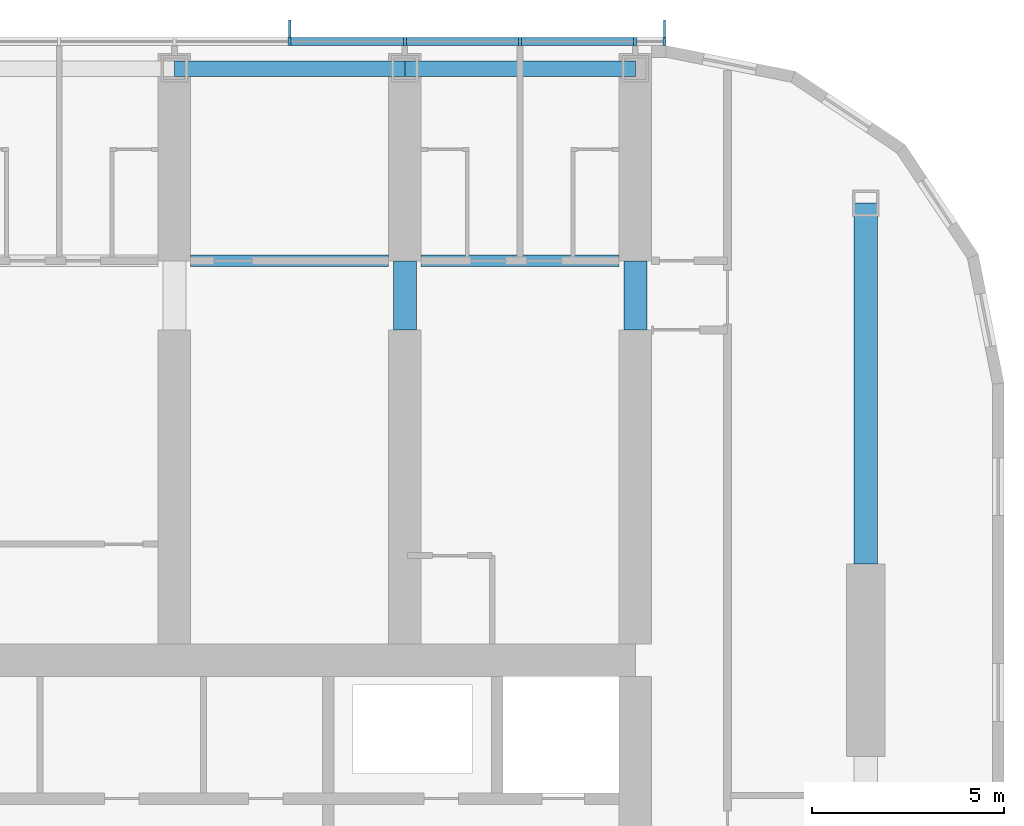
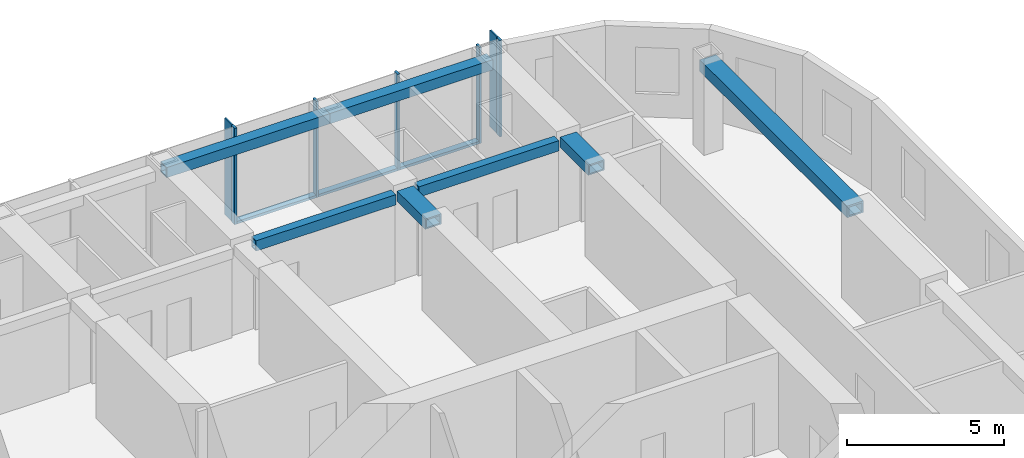
# One storey, part 5 of 22: 10 members, 7 beams, 1 element without a shape of its own.
"""IFC4 building model written with IfcOpenShell, lengths in metres."""

from ifc_helpers import new_model, si_unit, direction, frame, origin, origin_2d, place, context, subcontext, project, spatial, rectangle, hollow_rectangle, extrude, material, material_profile, profile_set, type_object, element, aggregate, save


model = new_model("IFC4")

# Units and contexts
model_context = context("Model", 3, precision=1e-05, world=origin(), true_north=direction((0.0, 1.0)))
body_context = subcontext(model_context, "Body", "Model", "MODEL_VIEW")
ifc_project = project(units=[si_unit("LENGTHUNIT", "METRE"), si_unit("AREAUNIT", "SQUARE_METRE"), si_unit("VOLUMEUNIT", "CUBIC_METRE"), si_unit("PLANEANGLEUNIT", "RADIAN"), si_unit("MASSUNIT", "GRAM", prefix="KILO")], contexts=[model_context])

# Site, building, storey
site_placement = place(None, origin())
site = spatial("IfcSite", under=ifc_project, at=site_placement, CompositionType="ELEMENT")
building_placement = place(site_placement, origin())
building = spatial("IfcBuilding", under=site, at=building_placement, Name="Orbita Commons", CompositionType="ELEMENT")
storey_placement = place(building_placement, frame((0.0, 0.0, 167.35009765625)))
storey = spatial("IfcBuildingStorey", under=building, at=storey_placement, Name="L41", CompositionType="ELEMENT", Elevation=167.35009765625)

# Curtain wall, members
ifc_material_1 = material(Name="Anodised aluminium frame, pale silver", Category="aluminium")
curtain_wall_type = type_object("IfcCurtainWallType", Name="Unitised curtain wall CW-U, full-height vision", PredefinedType="NOTDEFINED", material=ifc_material_1)
curtain_wall_placement = place(storey_placement, origin())
curtain_wall = element("IfcCurtainWall", 1, at=curtain_wall_placement, inside=storey, type_object=curtain_wall_type, Name="Curtain wall north L41", PredefinedType="NOTDEFINED")
ifc_material_2 = material(Name="Anodised aluminium, pale silver", Category="aluminium")
ifc_material_profile_1 = material_profile(ifc_material_2, rectangle(XDim=0.080078125, YDim=0.219970703125, at=origin_2d()), Name="AL 80x220")
ifc_profile_set_1 = profile_set([ifc_material_profile_1], Name="Anodised aluminium, pale silver")
member_type_1 = type_object("IfcMemberType", Name="Curtain wall mullion 80x220", PredefinedType="MULLION", material=ifc_profile_set_1)
member_1_placement = place(storey_placement, frame((66.760009765625, 54.31005859375, -0.25), z_axis=(0.0, 0.0, 1.0), x_axis=(-1.0, 0.0, 0.0)))
member_1 = element("IfcMember", 2, at=member_1_placement, type_object=member_type_1, Name="Mullion 1 CW-L41-N", PredefinedType="MULLION", context=body_context, shape_type="SweptSolid", body=[
    extrude(rectangle(XDim=0.080078125, YDim=0.219970703125, at=origin_2d()), origin(), (0.0, 0.0, 1.0), 3.75),
])
member_2_placement = place(storey_placement, frame((66.0, 54.31005859375, -0.25), z_axis=(0.0, 0.0, 1.0), x_axis=(-1.0, 0.0, 0.0)))
member_2 = element("IfcMember", 3, at=member_2_placement, type_object=member_type_1, Name="Mullion 2 CW-L41-N", PredefinedType="MULLION", context=body_context, shape_type="SweptSolid", body=[
    extrude(rectangle(XDim=0.080078125, YDim=0.219970703125, at=origin_2d()), origin(), (0.0, 0.0, 1.0), 3.75),
])
member_3_placement = place(storey_placement, frame((63.0, 54.31005859375, -0.25), z_axis=(0.0, 0.0, 1.0), x_axis=(-1.0, 0.0, 0.0)))
member_3 = element("IfcMember", 4, at=member_3_placement, type_object=member_type_1, Name="Mullion 3 CW-L41-N", PredefinedType="MULLION", context=body_context, shape_type="SweptSolid", body=[
    extrude(rectangle(XDim=0.080078125, YDim=0.219970703125, at=origin_2d()), origin(), (0.0, 0.0, 1.0), 3.75),
])
member_4_placement = place(storey_placement, frame((60.0, 54.31005859375, -0.25), z_axis=(0.0, 0.0, 1.0), x_axis=(-1.0, 0.0, 0.0)))
member_4 = element("IfcMember", 5, at=member_4_placement, type_object=member_type_1, Name="Mullion 4 CW-L41-N", PredefinedType="MULLION", context=body_context, shape_type="SweptSolid", body=[
    extrude(rectangle(XDim=0.080078125, YDim=0.219970703125, at=origin_2d()), origin(), (0.0, 0.0, 1.0), 3.75),
])
member_5_placement = place(storey_placement, frame((57.0, 54.31005859375, -0.25), z_axis=(0.0, 0.0, 1.0), x_axis=(-1.0, 0.0, 0.0)))
member_5 = element("IfcMember", 6, at=member_5_placement, type_object=member_type_1, Name="Mullion 5 CW-L41-N", PredefinedType="MULLION", context=body_context, shape_type="SweptSolid", body=[
    extrude(rectangle(XDim=0.080078125, YDim=0.219970703125, at=origin_2d()), origin(), (0.0, 0.0, 1.0), 3.75),
])
ifc_material_3 = material(Name="Anodised aluminium, pale silver", Category="aluminium")
ifc_material_profile_2 = material_profile(ifc_material_3, rectangle(XDim=0.219970703125, YDim=0.10009765625, at=origin_2d()), Name="AL 220x100")
ifc_profile_set_2 = profile_set([ifc_material_profile_2], Name="Anodised aluminium, pale silver")
member_type_2 = type_object("IfcMemberType", Name="Curtain wall stack transom 220x100", PredefinedType="USERDEFINED", material=ifc_profile_set_2)
member_6_placement = place(storey_placement, frame((65.9599609375, 54.31005859375, -0.2001953125), z_axis=(-1.0, 0.0, 0.0), x_axis=(0.0, -1.0, 0.0)))
member_6 = element("IfcMember", 7, at=member_6_placement, type_object=member_type_2, Name="Transom 2.1 CW-L41-N", ObjectType="TRANSOM", PredefinedType="USERDEFINED", context=body_context, shape_type="SweptSolid", body=[
    extrude(rectangle(XDim=0.219970703125, YDim=0.10009765625, at=origin_2d()), origin(), (0.0, 0.0, 1.0), 2.919921875),
])
member_7_placement = place(storey_placement, frame((62.9599609375, 54.31005859375, -0.2001953125), z_axis=(-1.0, 0.0, 0.0), x_axis=(0.0, -1.0, 0.0)))
member_7 = element("IfcMember", 8, at=member_7_placement, type_object=member_type_2, Name="Transom 3.1 CW-L41-N", ObjectType="TRANSOM", PredefinedType="USERDEFINED", context=body_context, shape_type="SweptSolid", body=[
    extrude(rectangle(XDim=0.219970703125, YDim=0.10009765625, at=origin_2d()), origin(), (0.0, 0.0, 1.0), 2.919921875),
])
member_8_placement = place(storey_placement, frame((59.9599609375, 54.31005859375, -0.2001953125), z_axis=(-1.0, 0.0, 0.0), x_axis=(0.0, -1.0, 0.0)))
member_8 = element("IfcMember", 9, at=member_8_placement, type_object=member_type_2, Name="Transom 4.1 CW-L41-N", ObjectType="TRANSOM", PredefinedType="USERDEFINED", context=body_context, shape_type="SweptSolid", body=[
    extrude(rectangle(XDim=0.219970703125, YDim=0.10009765625, at=origin_2d()), origin(), (0.0, 0.0, 1.0), 2.919921875),
])

# Beams
ifc_material_4 = material(Name="Steel ASTM A572 Gr 50 welded plate", Category="steel")
ifc_material_profile_3 = material_profile(ifc_material_4, hollow_rectangle(XDim=0.300048828125, YDim=0.39990234375, WallThickness=0.0400390625, at=origin_2d()), Name="BOX 400x300x40")
ifc_profile_set_3 = profile_set([ifc_material_profile_3], Name="Steel ASTM A572 Gr 50 welded plate")
beam_type_1 = type_object("IfcBeamType", Name="Steel corridor link BOX 400x300x40", PredefinedType="BEAM", material=ifc_profile_set_3)
for number, where, z_axis, x_axis, name in (
    (10, (54.425048828125, 48.60009765625, 3.2998046875), (1.0, 0.0, 0.0), (0.0, 1.0, 0.0), "Corridor beam NB 10-11 L41"),
    (11, (60.425048828125, 48.60009765625, 3.2998046875), (1.0, 0.0, 0.0), (0.0, 1.0, 0.0), "Corridor beam NB 11-12 L41"),
):
    element("IfcBeam", number, at=place(storey_placement, frame(where, z_axis=z_axis, x_axis=x_axis)), inside=storey, type_object=beam_type_1, Name=name, PredefinedType="BEAM", context=body_context, shape_type="SweptSolid", body=[
        extrude(hollow_rectangle(XDim=0.300048828125, YDim=0.39990234375, WallThickness=0.0400390625, at=origin_2d()), origin(), (0.0, 0.0, 1.0), 5.14990234375),
    ])
ifc_material_5 = material(Name="Steel ASTM A572 Gr 50 welded plate", Category="steel")
ifc_material_profile_4 = material_profile(ifc_material_5, hollow_rectangle(XDim=0.60009765625, YDim=0.39990234375, WallThickness=0.050048828125, at=origin_2d()), Name="BOX 400x600x50")
ifc_profile_set_4 = profile_set([ifc_material_profile_4], Name="Steel ASTM A572 Gr 50 welded plate")
beam_type_2 = type_object("IfcBeamType", Name="Steel coupling link BOX 400x600x50", PredefinedType="LINTEL", material=ifc_profile_set_4)
for number, where, z_axis, x_axis, name in (
    (12, (60.0, 46.800048828125, 3.2998046875), (0.0, 1.0, 0.0), (-1.0, 0.0, 0.0), "Coupling beam 11 north L41"),
    (13, (66.0, 46.800048828125, 3.2998046875), (0.0, 1.0, 0.0), (-1.0, 0.0, 0.0), "Coupling beam 12 north L41"),
):
    element("IfcBeam", number, at=place(storey_placement, frame(where, z_axis=z_axis, x_axis=x_axis)), inside=storey, type_object=beam_type_2, Name=name, PredefinedType="LINTEL", context=body_context, shape_type="SweptSolid", body=[
        extrude(hollow_rectangle(XDim=0.60009765625, YDim=0.39990234375, WallThickness=0.050048828125, at=origin_2d()), origin(), (0.0, 0.0, 1.0), 1.800048828125),
    ])
ifc_material_6 = material(Name="Steel ASTM A572 Gr 50 welded plate", Category="steel")
ifc_material_profile_5 = material_profile(ifc_material_6, hollow_rectangle(XDim=0.60009765625, YDim=0.449951171875, WallThickness=0.06005859375, at=origin_2d()), Name="BOX 450x600x60")
ifc_profile_set_5 = profile_set([ifc_material_profile_5], Name="Steel ASTM A572 Gr 50 welded plate")
beam_type_3 = type_object("IfcBeamType", Name="Steel end frame link BOX 450x600x60", PredefinedType="BEAM", material=ifc_profile_set_5)
beam_placement = place(storey_placement, frame((72.0, 40.699951171875, 3.27490234375), z_axis=(0.0, 1.0, 0.0), x_axis=(-1.0, 0.0, 0.0)))
element("IfcBeam", 14, at=beam_placement, inside=storey, type_object=beam_type_3, Name="End frame beam 13 D-E L41", PredefinedType="BEAM", context=body_context, shape_type="SweptSolid", body=[
    extrude(hollow_rectangle(XDim=0.60009765625, YDim=0.449951171875, WallThickness=0.06005859375, at=origin_2d()), origin(), (0.0, 0.0, 1.0), 9.400146484375),
])
ifc_material_7 = material(Name="Steel ASTM A572 Gr 50 welded plate", Category="steel")
ifc_material_profile_6 = material_profile(ifc_material_7, hollow_rectangle(XDim=0.39990234375, YDim=0.39990234375, WallThickness=0.0400390625, at=origin_2d()), Name="BOX 400x400x40")
ifc_profile_set_6 = profile_set([ifc_material_profile_6], Name="Steel ASTM A572 Gr 50 welded plate")
beam_type_4 = type_object("IfcBeamType", Name="Steel spandrel BOX 400x400x40", PredefinedType="SPANDREL", material=ifc_profile_set_6)
for number, where, z_axis, x_axis, name in (
    (15, (54.0, 53.60009765625, 3.2998046875), (1.0, 0.0, 0.0), (0.0, 1.0, 0.0), "Spandrel beam E 10-11 L41"),
    (16, (60.0, 53.60009765625, 3.2998046875), (1.0, 0.0, 0.0), (0.0, 1.0, 0.0), "Spandrel beam E 11-12 L41"),
):
    element("IfcBeam", number, at=place(storey_placement, frame(where, z_axis=z_axis, x_axis=x_axis)), inside=storey, type_object=beam_type_4, Name=name, PredefinedType="SPANDREL", context=body_context, shape_type="SweptSolid", body=[
        extrude(hollow_rectangle(XDim=0.39990234375, YDim=0.39990234375, WallThickness=0.0400390625, at=origin_2d()), origin(), (0.0, 0.0, 1.0), 6.0),
    ])

# Member
ifc_material_8 = material(Name="Anodised aluminium, pale silver", Category="aluminium")
ifc_material_profile_7 = material_profile(ifc_material_8, rectangle(XDim=0.06005859375, YDim=0.449951171875, at=origin_2d()), Name="FIN 60x450")
ifc_profile_set_7 = profile_set([ifc_material_profile_7], Name="Anodised aluminium, pale silver")
member_type_3 = type_object("IfcMemberType", Name="Vertical fin 60x450 pale aluminium", PredefinedType="USERDEFINED", material=ifc_profile_set_7)
member_9_placement = place(storey_placement, frame((66.760009765625, 54.64501953125, -0.25), z_axis=(0.0, 0.0, 1.0), x_axis=(-1.0, 0.0, 0.0)))
member_9 = element("IfcMember", 17, at=member_9_placement, type_object=member_type_3, Name="Fin 1 CW-L41-N", ObjectType="FIN", PredefinedType="USERDEFINED", context=body_context, shape_type="SweptSolid", body=[
    extrude(rectangle(XDim=0.06005859375, YDim=0.449951171875, at=origin_2d()), origin(), (0.0, 0.0, 1.0), 3.75),
])

member_10_placement = place(storey_placement, frame((57.0, 54.64501953125, -0.25), z_axis=(0.0, 0.0, 1.0), x_axis=(-1.0, 0.0, 0.0)))
member_10 = element("IfcMember", 18, at=member_10_placement, type_object=member_type_3, Name="Fin 5 CW-L41-N", ObjectType="FIN", PredefinedType="USERDEFINED", context=body_context, shape_type="SweptSolid", body=[
    extrude(rectangle(XDim=0.06005859375, YDim=0.449951171875, at=origin_2d()), origin(), (0.0, 0.0, 1.0), 3.75),
])

aggregate(curtain_wall, [member_1, member_9, member_2, member_3, member_4, member_5, member_10, member_6, member_7, member_8])

save(model, "model.ifc")
